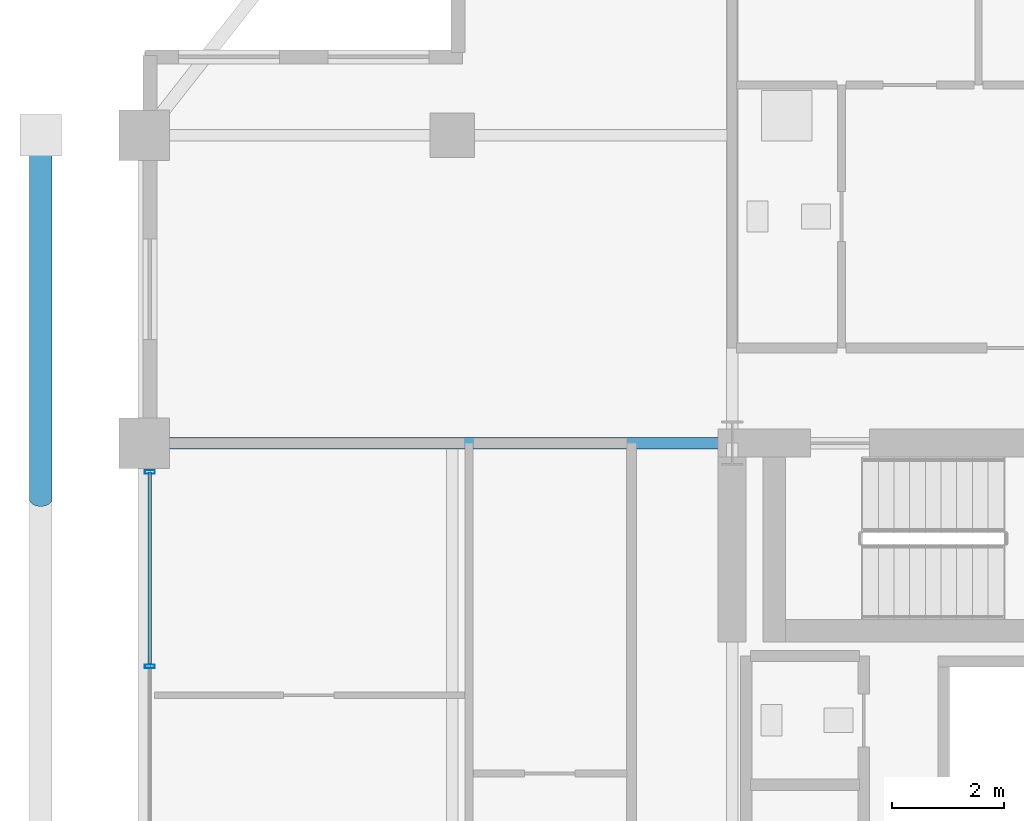
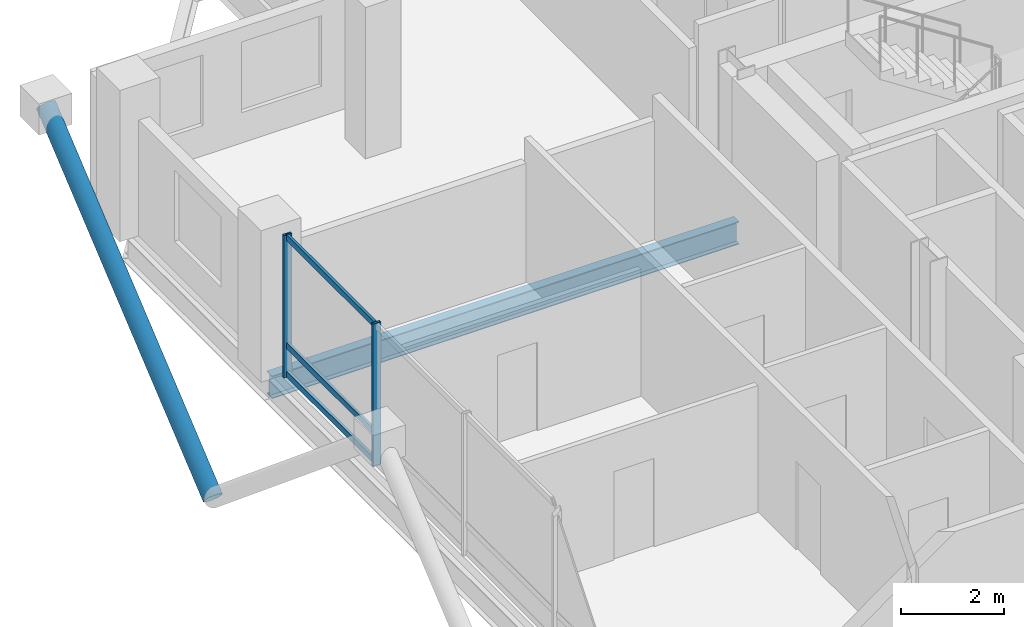
# One storey, part 9 of 23: 6 members, 1 beam, 1 element without a shape of its own.
"""IFC4 building model written with IfcOpenShell, lengths in metres."""

from ifc_helpers import new_model, si_unit, direction, frame, origin, origin_2d, place, context, subcontext, project, spatial, hollow_rectangle, hollow_circle, i_section, extrude, material, layer, layer_set, material_profile, profile_set, type_object, element, aggregate, save


model = new_model("IFC4")

# Units and contexts
model_context = context("Model", 3, precision=1e-05, world=origin(), true_north=direction((0.0, 1.0)))
body_context = subcontext(model_context, "Body", "Model", "MODEL_VIEW")
ifc_project = project(units=[si_unit("LENGTHUNIT", "METRE"), si_unit("AREAUNIT", "SQUARE_METRE"), si_unit("VOLUMEUNIT", "CUBIC_METRE"), si_unit("PLANEANGLEUNIT", "RADIAN"), si_unit("MASSUNIT", "GRAM", prefix="KILO")], contexts=[model_context])

# Site, building, storey
site_placement = place(None, origin())
site = spatial("IfcSite", under=ifc_project, at=site_placement, CompositionType="ELEMENT")
building_placement = place(site_placement, origin())
building = spatial("IfcBuilding", under=site, at=building_placement, Name="Barlavira Tower and Art Museum", CompositionType="ELEMENT")
storey_placement = place(building_placement, frame((0.0, 0.0, 247.5)))
storey = spatial("IfcBuildingStorey", under=building, at=storey_placement, Name="L64", CompositionType="ELEMENT", Elevation=247.5)

# Curtain wall, members
ifc_material_1 = material(Name="Low-iron coastal laminated glass", Category="glass")
ifc_layer = layer(ifc_material_1, 0.2099609375, Name="Low-iron coastal laminated glass")
ifc_layer_set = layer_set([ifc_layer], Name="Low-iron coastal laminated glass")
curtain_wall_type = type_object("IfcCurtainWallType", Name="Pale-Metal Unitised Curtain Wall Zone 4", PredefinedType="NOTDEFINED", material=ifc_layer_set)
curtain_wall_placement = place(storey_placement, origin())
curtain_wall = element("IfcCurtainWall", 1, at=curtain_wall_placement, inside=storey, type_object=curtain_wall_type, Name="L64 Curtain Wall CW4-L64-W-B3", PredefinedType="NOTDEFINED")
ifc_material_2 = material(Name="Pale anodised aluminium", Category="aluminium")
ifc_material_profile_1 = material_profile(ifc_material_2, hollow_rectangle(XDim=0.06494140625, YDim=0.179931640625, WallThickness=0.00390625, at=origin_2d()), Name="ALU-MULL 65x180x4")
ifc_profile_set_1 = profile_set([ifc_material_profile_1], Name="Pale anodised aluminium")
member_type_1 = type_object("IfcMemberType", Name="Curtain Wall Pale-Metal Mullion 65x180", PredefinedType="MULLION", material=ifc_profile_set_1)
member_1_placement = place(storey_placement, frame((-16.89990234375, 6.985107421875, 0.0), z_axis=(0.0, 0.0, 1.0), x_axis=(0.0, -1.0, 0.0)))
member_1 = element("IfcMember", 2, at=member_1_placement, type_object=member_type_1, Name="CW4-L64-W-B3 Mullion 0", PredefinedType="MULLION", context=body_context, shape_type="SweptSolid", body=[
    extrude(hollow_rectangle(XDim=0.06494140625, YDim=0.179931640625, WallThickness=0.00390625, at=origin_2d()), origin(), (0.0, 0.0, 1.0), 3.3798828125),
])
member_2_placement = place(storey_placement, frame((-16.89990234375, 3.514892578125, 0.0), z_axis=(0.0, 0.0, 1.0), x_axis=(0.0, -1.0, 0.0)))
member_2 = element("IfcMember", 3, at=member_2_placement, type_object=member_type_1, Name="CW4-L64-W-B3 Mullion 1", PredefinedType="MULLION", context=body_context, shape_type="SweptSolid", body=[
    extrude(hollow_rectangle(XDim=0.06494140625, YDim=0.179931640625, WallThickness=0.00390625, at=origin_2d()), origin(), (0.0, 0.0, 1.0), 3.3798828125),
])
ifc_material_profile_2 = material_profile(ifc_material_2, hollow_rectangle(XDim=0.06494140625, YDim=0.139892578125, WallThickness=0.00390625, at=origin_2d()), Name="ALU-TRAN 65x140x4")
ifc_profile_set_2 = profile_set([ifc_material_profile_2], Name="Pale anodised aluminium")
member_type_2 = type_object("IfcMemberType", Name="Curtain Wall Pale-Metal Transom 65x140", PredefinedType="USERDEFINED", material=ifc_profile_set_2)
member_3_placement = place(storey_placement, frame((-16.89990234375, 6.985107421875, 0.070068359375), z_axis=(0.0, -1.0, 0.0), x_axis=(1.0, 0.0, 0.0)))
member_3 = element("IfcMember", 4, at=member_3_placement, type_object=member_type_2, Name="CW4-L64-W-B3 Transom 0.1", ObjectType="TRANSOM", PredefinedType="USERDEFINED", context=body_context, shape_type="SweptSolid", body=[
    extrude(hollow_rectangle(XDim=0.06494140625, YDim=0.139892578125, WallThickness=0.00390625, at=origin_2d()), origin(), (0.0, 0.0, 1.0), 3.425048828125),
])
member_4_placement = place(storey_placement, frame((-16.89990234375, 6.985107421875, 0.743896484375), z_axis=(0.0, -1.0, 0.0), x_axis=(1.0, 0.0, 0.0)))
member_4 = element("IfcMember", 5, at=member_4_placement, type_object=member_type_2, Name="CW4-L64-W-B3 Transom 0.2", ObjectType="TRANSOM", PredefinedType="USERDEFINED", context=body_context, shape_type="SweptSolid", body=[
    extrude(hollow_rectangle(XDim=0.06494140625, YDim=0.139892578125, WallThickness=0.00390625, at=origin_2d()), origin(), (0.0, 0.0, 1.0), 3.425048828125),
])
member_5_placement = place(storey_placement, frame((-16.89990234375, 6.985107421875, 3.31005859375), z_axis=(0.0, -1.0, 0.0), x_axis=(1.0, 0.0, 0.0)))
member_5 = element("IfcMember", 6, at=member_5_placement, type_object=member_type_2, Name="CW4-L64-W-B3 Transom 0.3", ObjectType="TRANSOM", PredefinedType="USERDEFINED", context=body_context, shape_type="SweptSolid", body=[
    extrude(hollow_rectangle(XDim=0.06494140625, YDim=0.139892578125, WallThickness=0.00390625, at=origin_2d()), origin(), (0.0, 0.0, 1.0), 3.425048828125),
])
aggregate(curtain_wall, [member_1, member_2, member_3, member_4, member_5])

# Member
ifc_material_3 = material(Name="Steel S355", Category="steel")
ifc_material_profile_3 = material_profile(ifc_material_3, hollow_circle(Radius=0.203125, WallThickness=0.01611328125, at=origin_2d()), Name="CHS 406.4x16.0")
ifc_profile_set_3 = profile_set([ifc_material_profile_3], Name="Steel S355")
member_type_3 = type_object("IfcMemberType", Name="Pale-Metal Exoskeleton Diagrid Tube CHS 406x16 Steel S355", PredefinedType="BRACE", material=ifc_profile_set_3)
member_6_placement = place(storey_placement, frame((-18.85009765625, 6.5, -1.919921875), z_axis=(0.0, 0.769196053329, 0.639012857104), x_axis=(-1.0, 0.0, 0.0)))
element("IfcMember", 7, at=member_6_placement, inside=storey, type_object=member_type_3, Name="L64 Exoskeleton Diagrid Tube W", PredefinedType="BRACE", context=body_context, shape_type="SweptSolid", body=[
    extrude(hollow_circle(Radius=0.203125, WallThickness=0.01611328125, at=origin_2d()), origin(), (0.0, 0.0, 1.0), 8.450439453125),
])

# Beam
ifc_material_profile_4 = material_profile(ifc_material_3, i_section(OverallWidth=0.2109375, OverallDepth=0.5390625, WebThickness=0.01171875, FlangeThickness=0.018798828125, at=origin_2d()), Name="W530x109.0")
ifc_profile_set_4 = profile_set([ifc_material_profile_4], Name="Steel S355")
beam_type = type_object("IfcBeamType", Name="Zone 3-4 Primary Floor Girder W530x109 Steel S355", PredefinedType="BEAM", material=ifc_profile_set_4)
beam_placement = place(storey_placement, frame((-17.0, 7.5, -0.489501953125), z_axis=(1.0, 0.0, 0.0), x_axis=(0.0, 1.0, 0.0)))
element("IfcBeam", 8, at=beam_placement, inside=storey, type_object=beam_type, Name="L64 Girder R-W2", PredefinedType="BEAM", context=body_context, shape_type="SweptSolid", body=[
    extrude(i_section(OverallWidth=0.2109375, OverallDepth=0.5390625, WebThickness=0.01171875, FlangeThickness=0.018798828125, at=origin_2d()), origin(), (0.0, 0.0, 1.0), 10.5),
])

save(model, "model.ifc")
